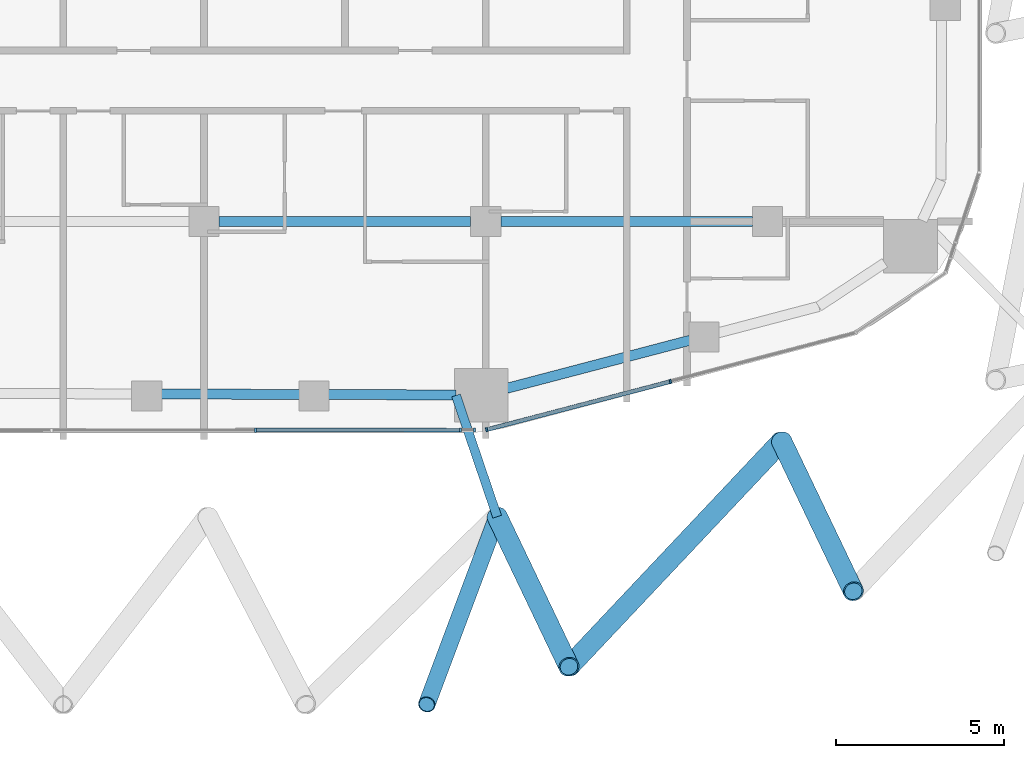
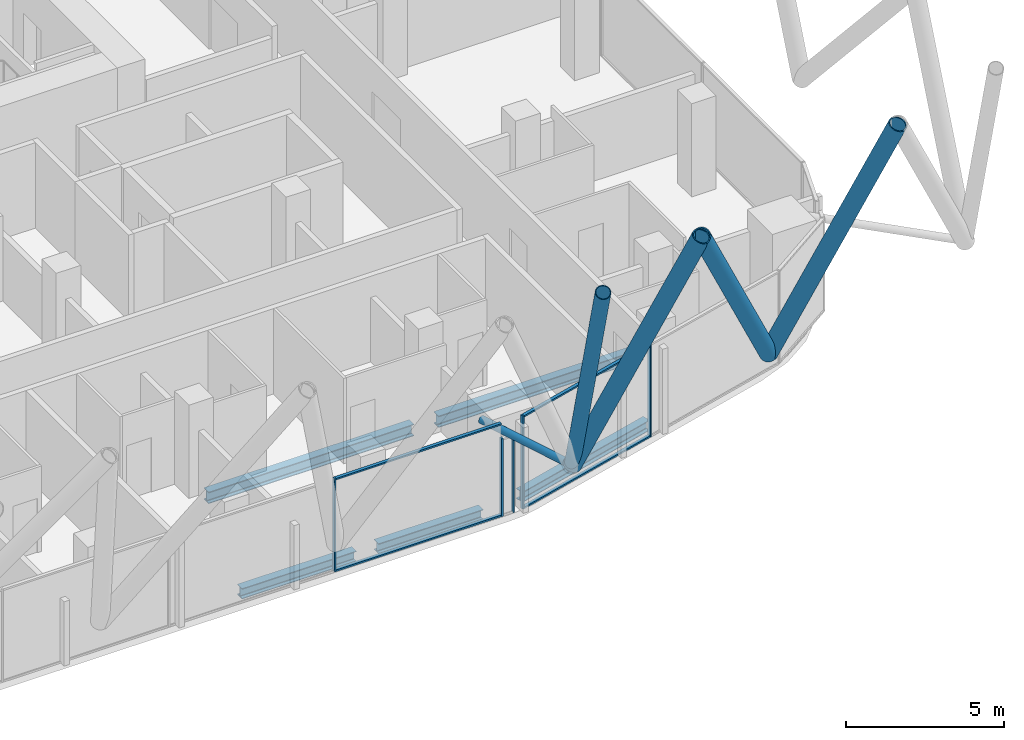
# One storey, part 6 of 34: 14 members, 5 beams, 3 elements without a shape of their own.
"""IFC4 building model written with IfcOpenShell, lengths in metres."""

from ifc_helpers import new_model, si_unit, direction, frame, origin, origin_2d, place, context, subcontext, project, spatial, rectangle, hollow_circle, i_section, extrude, material, layer, layer_set, material_profile, profile_set, type_object, element, aggregate, save


model = new_model("IFC4")

# Units and contexts
model_context = context("Model", 3, precision=1e-05, world=origin(), true_north=direction((0.0, 1.0)))
body_context = subcontext(model_context, "Body", "Model", "MODEL_VIEW")
ifc_project = project(units=[si_unit("LENGTHUNIT", "METRE"), si_unit("AREAUNIT", "SQUARE_METRE"), si_unit("VOLUMEUNIT", "CUBIC_METRE"), si_unit("PLANEANGLEUNIT", "RADIAN"), si_unit("MASSUNIT", "GRAM", prefix="KILO")], contexts=[model_context])

# Site, building, storey
site_placement = place(None, origin())
site = spatial("IfcSite", under=ifc_project, at=site_placement, CompositionType="ELEMENT")
building_placement = place(site_placement, origin())
building = spatial("IfcBuilding", under=site, at=building_placement, Name="Marenta Gate Hotel Tower", CompositionType="ELEMENT")
storey_placement = place(building_placement, frame((0.0, 0.0, 166.10009765625)))
storey = spatial("IfcBuildingStorey", under=building, at=storey_placement, Name="L39", CompositionType="ELEMENT", Elevation=166.10009765625)

# Members
ifc_material_1 = material(Name="Steel S355J2W", Category="steel")
ifc_material_profile_1 = material_profile(ifc_material_1, hollow_circle(Radius=0.25390625, WallThickness=0.02490234375, at=origin_2d()), Name="CHS 508x25")
ifc_profile_set_1 = profile_set([ifc_material_profile_1], Name="Steel S355J2W")
member_type_1 = type_object("IfcMemberType", Name="Diagrid corner post Z2 CHS 508x25", PredefinedType="POST", material=ifc_profile_set_1)
member_1_placement = place(storey_placement, frame((12.93896484375, -25.60009765625, 3.139892578125), z_axis=(-0.170092035922, -0.453598538302, 0.874824019656), x_axis=(0.936334210322, -0.351110020621, 0.0)))
element("IfcMember", 1, at=member_1_placement, inside=storey, type_object=member_type_1, Name="L39-DR-3", PredefinedType="POST", context=body_context, shape_type="SweptSolid", body=[
    extrude(hollow_circle(Radius=0.25390625, WallThickness=0.02490234375, at=origin_2d()), origin(), (0.0, 0.0, 1.0), 12.345458984375),
])
ifc_material_2 = material(Name="Steel S355J2W", Category="steel")
ifc_material_profile_2 = material_profile(ifc_material_2, hollow_circle(Radius=0.304931640625, WallThickness=0.0400390625, at=origin_2d()), Name="CHS 610x40")
ifc_profile_set_2 = profile_set([ifc_material_profile_2], Name="Steel S355J2W")
member_type_2 = type_object("IfcMemberType", Name="Diagrid diagonal T2 CHS 610x40", PredefinedType="BRACE", material=ifc_profile_set_2)
member_2_placement = place(storey_placement, frame((21.41943359375, -23.35009765625, 3.139892578125), z_axis=(0.180093774283, -0.37653916763, 0.908726849887), x_axis=(0.902125059727, 0.431474653499, 0.0)))
element("IfcMember", 2, at=member_2_placement, inside=storey, type_object=member_type_2, Name="L39-DG-12", PredefinedType="BRACE", context=body_context, shape_type="SweptSolid", body=[
    extrude(hollow_circle(Radius=0.304931640625, WallThickness=0.0400390625, at=origin_2d()), origin(), (0.0, 0.0, 1.0), 11.884765625),
])
member_3_placement = place(storey_placement, frame((21.41943359375, -23.35009765625, 3.139892578125), z_axis=(-0.446019219938, -0.473087119765, 0.759773277076), x_axis=(0.727615775516, -0.68598490014, 0.0)))
element("IfcMember", 3, at=member_3_placement, inside=storey, type_object=member_type_2, Name="L39-DG-13", PredefinedType="BRACE", context=body_context, shape_type="SweptSolid", body=[
    extrude(hollow_circle(Radius=0.304931640625, WallThickness=0.0400390625, at=origin_2d()), origin(), (0.0, 0.0, 1.0), 14.21484375),
])
member_4_placement = place(storey_placement, frame((12.93896484375, -25.60009765625, 3.139892578125), z_axis=(0.180095167279, -0.376521537704, 0.908733878739), x_axis=(0.902115896599, 0.4314938112, 0.0)))
element("IfcMember", 4, at=member_4_placement, inside=storey, type_object=member_type_2, Name="L39-DG-14", PredefinedType="BRACE", context=body_context, shape_type="SweptSolid", body=[
    extrude(hollow_circle(Radius=0.304931640625, WallThickness=0.0400390625, at=origin_2d()), origin(), (0.0, 0.0, 1.0), 11.884765625),
])

# Beams
ifc_material_3 = material(Name="Steel S355", Category="steel")
ifc_material_profile_3 = material_profile(ifc_material_3, i_section(OverallWidth=0.300048828125, OverallDepth=0.39990234375, WebThickness=0.013427734375, FlangeThickness=0.02392578125, FilletRadius=0.027099609375, at=origin_2d()), Name="HEB 400")
ifc_profile_set_3 = profile_set([ifc_material_profile_3], Name="Steel S355")
beam_type_1 = type_object("IfcBeamType", Name="Edge beam HEB 400", PredefinedType="SPANDREL", material=ifc_profile_set_3)
beam_1_placement = place(storey_placement, frame((18.695556640625, -20.33740234375, -0.460205078125), z_axis=(-0.96723321901, -0.253889542999, 0.0), x_axis=(0.253889542999, -0.96723321901, 0.0)))
element("IfcBeam", 5, at=beam_1_placement, inside=storey, type_object=beam_type_1, Name="L39-EB-31", PredefinedType="SPANDREL", context=body_context, shape_type="SweptSolid", body=[
    extrude(i_section(OverallWidth=0.300048828125, OverallDepth=0.39990234375, WebThickness=0.013427734375, FlangeThickness=0.02392578125, FilletRadius=0.027099609375, at=origin_2d()), origin(), (0.0, 0.0, 1.0), 5.6533203125),
])
beam_2_placement = place(storey_placement, frame((11.706298828125, -21.97021484375, -0.460205078125), z_axis=(-0.999994883969, 0.003198755307, 0.0), x_axis=(-0.003198755307, -0.999994883969, 0.0)))
element("IfcBeam", 6, at=beam_2_placement, inside=storey, type_object=beam_type_1, Name="L39-EB-32", PredefinedType="SPANDREL", context=body_context, shape_type="SweptSolid", body=[
    extrude(i_section(OverallWidth=0.300048828125, OverallDepth=0.39990234375, WebThickness=0.013427734375, FlangeThickness=0.02392578125, FilletRadius=0.027099609375, at=origin_2d()), origin(), (0.0, 0.0, 1.0), 3.816162109375),
])
beam_3_placement = place(storey_placement, frame((7.070068359375, -21.955322265625, -0.460205078125), z_axis=(-0.999994807487, 0.003222576575, 0.0), x_axis=(-0.003222576575, -0.999994807487, 0.0)))
element("IfcBeam", 7, at=beam_3_placement, inside=storey, type_object=beam_type_1, Name="L39-EB-33", PredefinedType="SPANDREL", context=body_context, shape_type="SweptSolid", body=[
    extrude(i_section(OverallWidth=0.300048828125, OverallDepth=0.39990234375, WebThickness=0.013427734375, FlangeThickness=0.02392578125, FilletRadius=0.027099609375, at=origin_2d()), origin(), (0.0, 0.0, 1.0), 4.166748046875),
])

# Member
ifc_material_4 = material(Name="Steel S355J2W", Category="steel")
ifc_material_profile_4 = material_profile(ifc_material_4, hollow_circle(Radius=0.136474609375, WallThickness=0.012451171875, at=origin_2d()), Name="CHS 273x12.5")
ifc_profile_set_4 = profile_set([ifc_material_profile_4], Name="Steel S355J2W")
member_type_3 = type_object("IfcMemberType", Name="Floor tie CHS 273x12.5", PredefinedType="STRUT", material=ifc_profile_set_4)
member_5_placement = place(storey_placement, frame((12.93896484375, -25.60009765625, 3.139892578125), z_axis=(-0.321556461215, 0.946890406674, 0.0), x_axis=(-0.946890406674, -0.321556461215, 0.0)))
element("IfcMember", 8, at=member_5_placement, inside=storey, type_object=member_type_3, Name="L39-DR-9", PredefinedType="STRUT", context=body_context, shape_type="SweptSolid", body=[
    extrude(hollow_circle(Radius=0.136474609375, WallThickness=0.012451171875, at=origin_2d()), origin(), (0.0, 0.0, 1.0), 3.8173828125),
])

# Beams
ifc_material_5 = material(Name="Steel S355", Category="steel")
ifc_material_profile_5 = material_profile(ifc_material_5, i_section(OverallWidth=0.300048828125, OverallDepth=0.449951171875, WebThickness=0.013916015625, FlangeThickness=0.02587890625, FilletRadius=0.027099609375, at=origin_2d()), Name="HEB 450")
ifc_profile_set_5 = profile_set([ifc_material_profile_5], Name="Steel S355")
beam_type_2 = type_object("IfcBeamType", Name="Girder HEB 450", PredefinedType="BEAM", material=ifc_profile_set_5)
for number, where, z_axis, x_axis, name in (
    (9, (4.64990234375, -16.800048828125, -0.485107421875), (1.0, 0.0, 0.0), (0.0, 1.0, 0.0), "L39-GD-5"),
    (10, (13.050048828125, -16.800048828125, -0.485107421875), (1.0, 0.0, 0.0), (0.0, 1.0, 0.0), "L39-GD-6"),
):
    element("IfcBeam", number, at=place(storey_placement, frame(where, z_axis=z_axis, x_axis=x_axis)), inside=storey, type_object=beam_type_2, Name=name, PredefinedType="BEAM", context=body_context, shape_type="SweptSolid", body=[
        extrude(i_section(OverallWidth=0.300048828125, OverallDepth=0.449951171875, WebThickness=0.013916015625, FlangeThickness=0.02587890625, FilletRadius=0.027099609375, at=origin_2d()), origin(), (0.0, 0.0, 1.0), 7.5),
    ])

# Curtain wall, member
ifc_material_6 = material(Name="Tinted insulated glass in bronze anodised frame", Category="glass")
ifc_layer = layer(ifc_material_6, 0.1201171875)
ifc_layer_set = layer_set([ifc_layer], Name="Tinted insulated glass in bronze anodised frame")
curtain_wall_type = type_object("IfcCurtainWallType", Name="Tower unitised curtain wall CW1", PredefinedType="NOTDEFINED", material=ifc_layer_set)
curtain_wall_1_placement = place(storey_placement, origin())
curtain_wall_1 = element("IfcCurtainWall", 11, at=curtain_wall_1_placement, inside=storey, type_object=curtain_wall_type, Name="CW1 run G12", PredefinedType="NOTDEFINED")
ifc_material_7 = material(Name="Bronze anodised aluminium", Category="aluminium")
ifc_material_profile_6 = material_profile(ifc_material_7, rectangle(XDim=0.1201171875, YDim=0.06005859375, at=origin_2d()), Name="Mullion CW1 60x120 bronze anodised aluminium")
ifc_profile_set_6 = profile_set([ifc_material_profile_6], Name="Bronze anodised aluminium")
member_type_4 = type_object("IfcMemberType", Name="Mullion CW1 60x120 bronze anodised aluminium", PredefinedType="MULLION", material=ifc_profile_set_6)
member_6_placement = place(storey_placement, frame((5.73974609375, -23.022705078125, 0.0), z_axis=(0.0, 0.0, 1.0), x_axis=(-0.00136470383, 0.999999068791, 0.0)))
member_6 = element("IfcMember", 12, at=member_6_placement, type_object=member_type_4, Name="CW1 mullion 4", PredefinedType="MULLION", context=body_context, shape_type="SweptSolid", body=[
    extrude(rectangle(XDim=0.1201171875, YDim=0.06005859375, at=origin_2d()), origin(), (0.0, 0.0, 1.0), 3.599853515625),
])

# Curtain wall, members
curtain_wall_2_placement = place(storey_placement, origin())
curtain_wall_2 = element("IfcCurtainWall", 13, at=curtain_wall_2_placement, inside=storey, type_object=curtain_wall_type, Name="CW1 run G13", PredefinedType="NOTDEFINED")
member_7_placement = place(storey_placement, frame((11.851806640625, -23.01416015625, 0.0), z_axis=(0.0, 0.0, 1.0), x_axis=(-0.001254704164, 0.999999212858, 0.0)))
member_7 = element("IfcMember", 14, at=member_7_placement, type_object=member_type_4, Name="CW1 mullion 1", PredefinedType="MULLION", context=body_context, shape_type="SweptSolid", body=[
    extrude(rectangle(XDim=0.1201171875, YDim=0.06005859375, at=origin_2d()), origin(), (0.0, 0.0, 1.0), 3.00048828125),
])
member_8_placement = place(storey_placement, frame((12.27001953125, -23.013671875, 0.0), z_axis=(0.0, 0.0, 1.0), x_axis=(-0.001254704164, 0.999999212858, 0.0)))
member_8 = element("IfcMember", 15, at=member_8_placement, type_object=member_type_4, Name="CW1 mullion 2", PredefinedType="MULLION", context=body_context, shape_type="SweptSolid", body=[
    extrude(rectangle(XDim=0.1201171875, YDim=0.06005859375, at=origin_2d()), origin(), (0.0, 0.0, 1.0), 3.00048828125),
])
aggregate(curtain_wall_2, [member_7, member_8])

curtain_wall_3_placement = place(storey_placement, origin())
curtain_wall_3 = element("IfcCurtainWall", 16, at=curtain_wall_3_placement, inside=storey, type_object=curtain_wall_type, Name="CW1 run G14", PredefinedType="NOTDEFINED")
member_9_placement = place(storey_placement, frame((12.626708984375, -23.005615234375, 0.0), z_axis=(0.0, 0.0, 1.0), x_axis=(-0.253374270473, 0.967368326473, 0.0)))
member_9 = element("IfcMember", 17, at=member_9_placement, type_object=member_type_4, Name="CW1 mullion 1", PredefinedType="MULLION", context=body_context, shape_type="SweptSolid", body=[
    extrude(rectangle(XDim=0.1201171875, YDim=0.06005859375, at=origin_2d()), origin(), (0.0, 0.0, 1.0), 3.599853515625),
])
member_10_placement = place(storey_placement, frame((18.102783203125, -21.571533203125, 0.0), z_axis=(0.0, 0.0, 1.0), x_axis=(-0.253374270473, 0.967368326473, 0.0)))
member_10 = element("IfcMember", 18, at=member_10_placement, type_object=member_type_4, Name="CW1 mullion 2", PredefinedType="MULLION", context=body_context, shape_type="SweptSolid", body=[
    extrude(rectangle(XDim=0.1201171875, YDim=0.06005859375, at=origin_2d()), origin(), (0.0, 0.0, 1.0), 3.599853515625),
])

# Member
ifc_material_8 = material(Name="Bronze anodised aluminium", Category="aluminium")
ifc_material_profile_7 = material_profile(ifc_material_8, rectangle(XDim=0.1201171875, YDim=0.06005859375, at=origin_2d()), Name="Transom CW1 60x120 bronze anodised aluminium")
ifc_profile_set_7 = profile_set([ifc_material_profile_7], Name="Bronze anodised aluminium")
member_type_5 = type_object("IfcMemberType", Name="Transom CW1 60x120 bronze anodised aluminium", PredefinedType="USERDEFINED", material=ifc_profile_set_7)
member_11_placement = place(storey_placement, frame((5.769775390625, -23.0224609375, 0.02978515625), z_axis=(0.999999113907, 0.001331234449, 0.0), x_axis=(-0.001331234449, 0.999999113907, 0.0)))
member_11 = element("IfcMember", 19, at=member_11_placement, type_object=member_type_5, Name="CW1 transom 4.1", ObjectType="TRANSOM", PredefinedType="USERDEFINED", context=body_context, shape_type="SweptSolid", body=[
    extrude(rectangle(XDim=0.1201171875, YDim=0.06005859375, at=origin_2d()), origin(), (0.0, 0.0, 1.0), 6.052001953125),
])

member_12_placement = place(storey_placement, frame((5.769775390625, -23.0224609375, 3.56982421875), z_axis=(0.999999113907, 0.001331234449, 0.0), x_axis=(-0.001331234449, 0.999999113907, 0.0)))
member_12 = element("IfcMember", 20, at=member_12_placement, type_object=member_type_5, Name="CW1 transom 4.2", ObjectType="TRANSOM", PredefinedType="USERDEFINED", context=body_context, shape_type="SweptSolid", body=[
    extrude(rectangle(XDim=0.1201171875, YDim=0.06005859375, at=origin_2d()), origin(), (0.0, 0.0, 1.0), 6.052001953125),
])

aggregate(curtain_wall_1, [member_6, member_11, member_12])

member_13_placement = place(storey_placement, frame((12.65576171875, -22.998046875, 0.02978515625), z_axis=(0.967374258372, 0.25335162174, 0.0), x_axis=(-0.25335162174, 0.967374258372, 0.0)))
member_13 = element("IfcMember", 21, at=member_13_placement, type_object=member_type_5, Name="CW1 transom 1.1", ObjectType="TRANSOM", PredefinedType="USERDEFINED", context=body_context, shape_type="SweptSolid", body=[
    extrude(rectangle(XDim=0.1201171875, YDim=0.06005859375, at=origin_2d()), origin(), (0.0, 0.0, 1.0), 5.6005859375),
])

member_14_placement = place(storey_placement, frame((12.65576171875, -22.998046875, 3.56982421875), z_axis=(0.967374258372, 0.25335162174, 0.0), x_axis=(-0.25335162174, 0.967374258372, 0.0)))
member_14 = element("IfcMember", 22, at=member_14_placement, type_object=member_type_5, Name="CW1 transom 1.2", ObjectType="TRANSOM", PredefinedType="USERDEFINED", context=body_context, shape_type="SweptSolid", body=[
    extrude(rectangle(XDim=0.1201171875, YDim=0.06005859375, at=origin_2d()), origin(), (0.0, 0.0, 1.0), 5.6005859375),
])

aggregate(curtain_wall_3, [member_9, member_10, member_13, member_14])

save(model, "model.ifc")
